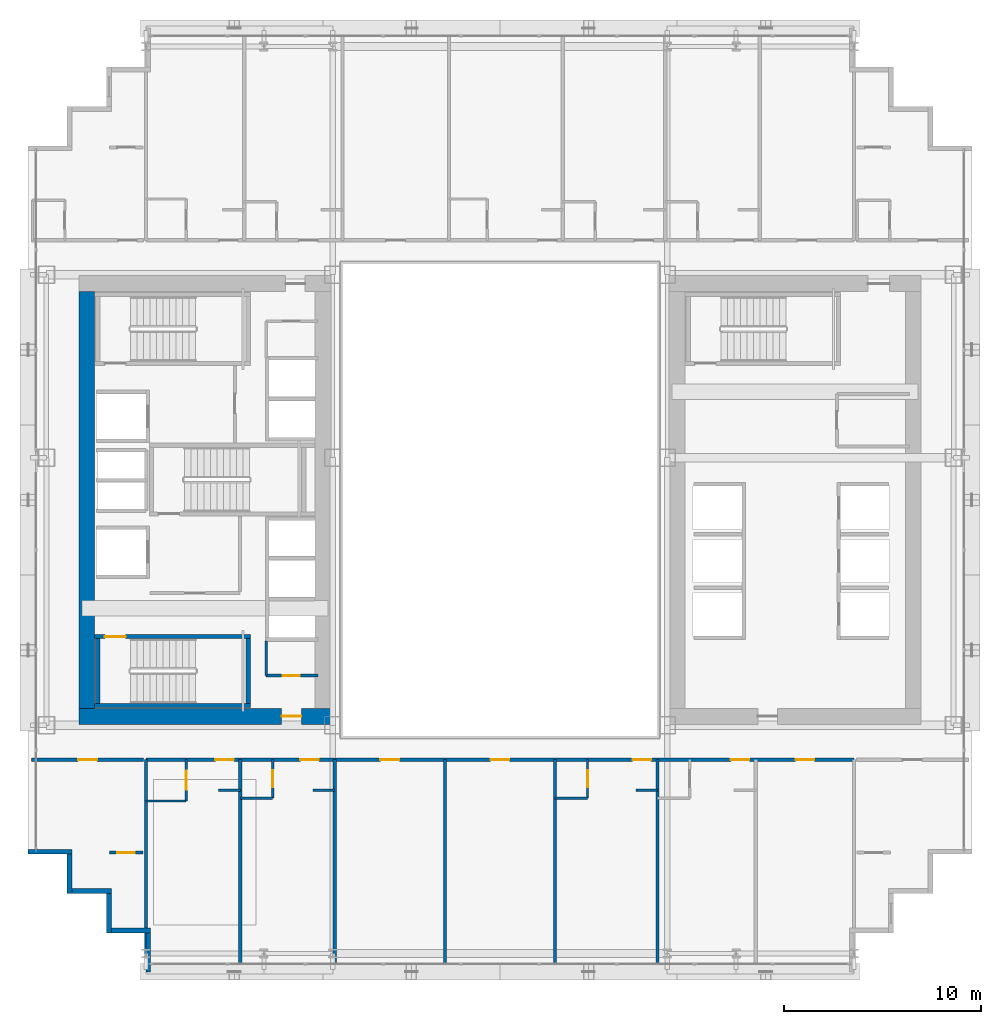
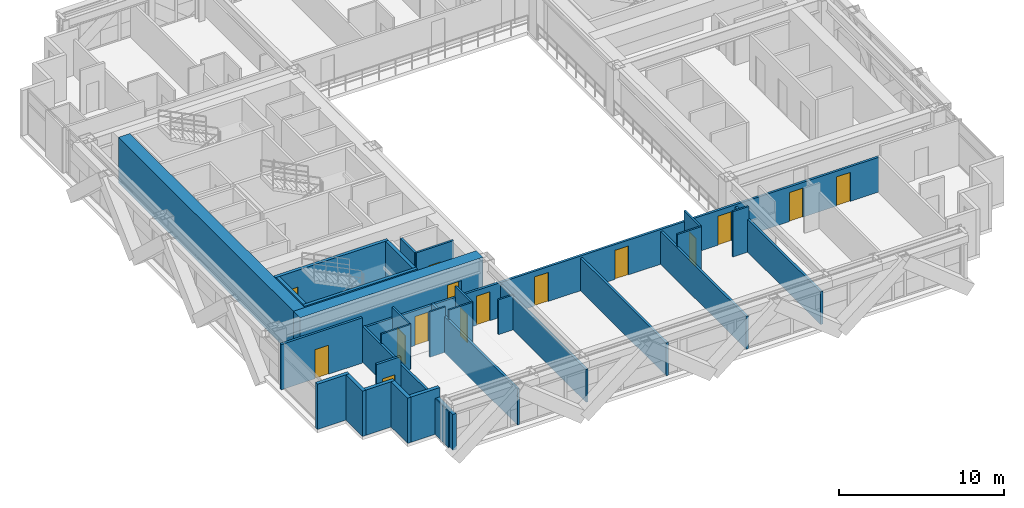
# One storey, part 27 of 35: 32 walls, 15 doors, 15 openings.
"""IFC4 building model written with IfcOpenShell, lengths in metres."""

import ifcopenshell
import ifcopenshell.guid

model = None  # the IFC model being written
_history = None  # IfcOwnerHistory: only IFC2X3 demands one
_inside = {}  # id of a spatial element -> (the spatial element, [elements in it])
_under = {}  # id of a project, library or spatial element -> (it, [spatial elements below it])
_declared = {}  # id of a project -> (the project, [libraries it declares])
_typed = {}  # id of a type object -> (the type object, [elements of that type])
_made_of = {}  # id of a material, layer set ... -> (it, [elements and type objects made of it])


def new_model(schema):
    """Start an empty IFC model of exactly this schema.

    Asked for "IFC4X3", IfcOpenShell would pick the latest addendum, in which some entities
    have other attributes; the version numbers below select the first issue.
    IFC2X3 requires an IfcOwnerHistory on every rooted entity: one is made here for all.
    """
    global model, _history
    if schema == "IFC4X3":
        model = ifcopenshell.file(schema_version=(4, 3, 0, 0))
    else:
        model = ifcopenshell.file(schema=schema)
    _inside.clear()
    _under.clear()
    _declared.clear()
    _typed.clear()
    _made_of.clear()
    _history = None
    if model.schema == "IFC2X3":
        org = make("IfcOrganization", Name="unknown")
        user = make(
            "IfcPersonAndOrganization",
            ThePerson=make("IfcPerson", FamilyName="unknown"),
            TheOrganization=org,
        )
        app = make(
            "IfcApplication",
            ApplicationDeveloper=org,
            Version="unknown",
            ApplicationFullName="unknown",
            ApplicationIdentifier="unknown",
        )
        _history = make(
            "IfcOwnerHistory",
            OwningUser=user,
            OwningApplication=app,
            ChangeAction="ADDED",
            CreationDate=0,
        )
    return model


def make(cls, **values):
    """One entity of the class cls with the attributes given. An attribute that is None is left unset."""
    return model.create_entity(
        cls, **{name: value for name, value in values.items() if value is not None}
    )


def rooted(cls, **values):
    """An entity with a GlobalId (a new one), such as an element, a storey or a relation."""
    return make(cls, GlobalId=ifcopenshell.guid.new(), OwnerHistory=_history, **values)


def si_unit(unit_type, name, prefix=None):
    """IfcSIUnit, for example si_unit("LENGTHUNIT", "METRE", prefix="MILLI")."""
    return make("IfcSIUnit", UnitType=unit_type, Prefix=prefix, Name=name)


def assignment(units):
    """IfcUnitAssignment: the units of a project."""
    return None if units is None else make("IfcUnitAssignment", Units=units)


def point(xyz):
    """IfcCartesianPoint."""
    return None if xyz is None else make("IfcCartesianPoint", Coordinates=xyz)


def direction(xyz):
    """IfcDirection."""
    return None if xyz is None else make("IfcDirection", DirectionRatios=xyz)


def frame(location, z_axis=None, x_axis=None):
    """IfcAxis2Placement3D, a coordinate frame: its origin and axes. An axis left out is left unset."""
    return make(
        "IfcAxis2Placement3D",
        Location=point(location),
        Axis=direction(z_axis),
        RefDirection=direction(x_axis),
    )


def frame_2d(location, x_axis=None):
    """IfcAxis2Placement2D, a coordinate frame in the plane: its origin and x axis."""
    return make(
        "IfcAxis2Placement2D", Location=point(location), RefDirection=direction(x_axis)
    )


def origin():
    """The frame at (0, 0, 0) with its axes left unset."""
    return frame((0.0, 0.0, 0.0))


def place(relative_to, where):
    """IfcLocalPlacement: puts the frame where relative to a parent placement (None: the world)."""
    return make(
        "IfcLocalPlacement", PlacementRelTo=relative_to, RelativePlacement=where
    )


def context(
    kind, dimensions, precision=None, world=None, true_north=None, identifier=None
):
    """IfcGeometricRepresentationContext, for example the 3D "Model" context."""
    return make(
        "IfcGeometricRepresentationContext",
        ContextIdentifier=identifier,
        ContextType=kind,
        CoordinateSpaceDimension=dimensions,
        Precision=precision,
        WorldCoordinateSystem=world,
        TrueNorth=true_north,
    )


def subcontext(parent, identifier, kind, view, scale=None):
    """IfcGeometricRepresentationSubContext, for example "Body" below "Model"."""
    return make(
        "IfcGeometricRepresentationSubContext",
        ContextIdentifier=identifier,
        ContextType=kind,
        ParentContext=parent,
        TargetScale=scale,
        TargetView=view,
    )


def project(units=None, contexts=None):
    """IfcProject with its units and contexts."""
    return rooted(
        "IfcProject",
        Name="project",
        RepresentationContexts=contexts,
        UnitsInContext=assignment(units),
    )


def spatial(cls, under=None, at=None, **own):
    """A site, building, storey or space (cls), placed at a placement, below another one or the project."""
    s = rooted(cls, ObjectPlacement=at, **own)
    if under is not None:
        _under.setdefault(under.id(), (under, []))[1].append(s)
    return s


def profile(cls, at=None, kind="AREA", **sizes):
    """A parametric profile (cls). Its sizes go by their IFC names, for example OverallWidth=200.0."""
    return make(cls, ProfileType=kind, Position=at, **sizes)


def rectangle(**sizes):
    """IfcRectangleProfileDef."""
    return profile("IfcRectangleProfileDef", **sizes)


def extrude(swept, where, along, depth):
    """IfcExtrudedAreaSolid: the profile swept, set in the frame where, extruded along a direction by depth."""
    return make(
        "IfcExtrudedAreaSolid",
        SweptArea=swept,
        Position=where,
        ExtrudedDirection=direction(along),
        Depth=depth,
    )


def shape(context_of_items, identifier, shape_type, items):
    """IfcShapeRepresentation: the items that make up one representation, for example the "Body"."""
    return make(
        "IfcShapeRepresentation",
        ContextOfItems=context_of_items,
        RepresentationIdentifier=identifier,
        RepresentationType=shape_type,
        Items=items,
    )


def source(mapping_origin, context_of_items, identifier, shape_type, items):
    """IfcRepresentationMap: a shape defined once, which mapped items show again and again."""
    return make(
        "IfcRepresentationMap",
        MappingOrigin=mapping_origin,
        MappedRepresentation=shape(context_of_items, identifier, shape_type, items),
    )


def transform(
    local_origin,
    x_axis=None,
    y_axis=None,
    z_axis=None,
    scale=None,
    scale2=None,
    scale3=None,
    uniform=True,
):
    """IfcCartesianTransformationOperator3D, or its non-uniform kind. x_axis, y_axis, z_axis: its Axis1, 2, 3."""
    if uniform:
        return make(
            "IfcCartesianTransformationOperator3D",
            Axis1=direction(x_axis),
            Axis2=direction(y_axis),
            LocalOrigin=point(local_origin),
            Scale=scale,
            Axis3=direction(z_axis),
        )
    return make(
        "IfcCartesianTransformationOperator3DnonUniform",
        Axis1=direction(x_axis),
        Axis2=direction(y_axis),
        LocalOrigin=point(local_origin),
        Scale=scale,
        Axis3=direction(z_axis),
        Scale2=scale2,
        Scale3=scale3,
    )


def mapped(mapping_source, mapping_target):
    """IfcMappedItem: shows the shape of a source again, moved by a transform."""
    return make(
        "IfcMappedItem", MappingSource=mapping_source, MappingTarget=mapping_target
    )


def material(Name=None, Category=None):
    """IfcMaterial."""
    return make("IfcMaterial", Name=Name, Category=Category)


def layer(
    of_material, thickness, ventilated=None, Name=None, Category=None, Priority=None
):
    """IfcMaterialLayer: one layer of a wall or slab, of a material (None: an air gap)."""
    return make(
        "IfcMaterialLayer",
        Material=of_material,
        LayerThickness=thickness,
        IsVentilated=ventilated,
        Name=Name,
        Category=Category,
        Priority=Priority,
    )


def layer_set(layers, Name=None):
    """IfcMaterialLayerSet."""
    return make("IfcMaterialLayerSet", MaterialLayers=layers, LayerSetName=Name)


def made_of(thing, what):
    """Note that an element or type object is made of a material, layer set ...; save() writes the relation."""
    if what is not None:
        _made_of.setdefault(what.id(), (what, []))[1].append(thing)
    return thing


def type_object(cls, material=None, **own):
    """A type object (cls), such as IfcWallType, which elements share."""
    return made_of(rooted(cls, **own), material)


def element(
    cls,
    number,
    at=None,
    inside=None,
    cuts=None,
    type_object=None,
    material=None,
    context=None,
    identifier="Body",
    shape_type=None,
    held_by="IfcProductDefinitionShape",
    body=None,
    shapes=None,
    **own,
):
    """One element of the class cls, such as IfcWall. Its Tag is "e" and its number.

    at: its placement. inside: the storey or other place that contains it. cuts: it is an
    opening in that element (IfcRelVoidsElement). A single representation is given by context,
    identifier, shape_type and body (its items); several are given by shapes. held_by: the class
    of the entity that holds the representations. save() writes the other relations.
    """
    e = rooted(cls, Tag="e%d" % number, ObjectPlacement=at, **own)
    if body is not None:
        shapes = [shape(context, identifier, shape_type, body)]
    if shapes is not None:
        e.Representation = make(held_by, Representations=shapes)
    if inside is not None:
        _inside.setdefault(inside.id(), (inside, []))[1].append(e)
    if cuts is not None:
        rooted(
            "IfcRelVoidsElement", RelatingBuildingElement=cuts, RelatedOpeningElement=e
        )
    if type_object is not None:
        _typed.setdefault(type_object.id(), (type_object, []))[1].append(e)
    return made_of(e, material)


def fill(opening, filler):
    """IfcRelFillsElement: the door or window that sits in an opening."""
    return rooted(
        "IfcRelFillsElement",
        RelatingOpeningElement=opening,
        RelatedBuildingElement=filler,
    )


def aggregate(whole, parts):
    """IfcRelAggregates: a whole, such as a stair, and the parts it consists of."""
    return rooted("IfcRelAggregates", RelatingObject=whole, RelatedObjects=parts)


def save(model, path):
    """Write the relations noted so far, then the file.

    IfcRelAggregates (storeys below a building ...), IfcRelContainedInSpatialStructure (elements
    in a storey), IfcRelDefinesByType, IfcRelAssociatesMaterial and IfcRelDeclares: one each for
    every whole, place, type object, material and project.
    """
    for whole, parts in _under.values():
        aggregate(whole, parts)
    for where, things in _inside.values():
        rooted(
            "IfcRelContainedInSpatialStructure",
            RelatedElements=things,
            RelatingStructure=where,
        )
    for kind, things in _typed.values():
        rooted("IfcRelDefinesByType", RelatedObjects=things, RelatingType=kind)
    for what, things in _made_of.values():
        rooted("IfcRelAssociatesMaterial", RelatedObjects=things, RelatingMaterial=what)
    for by, libraries in _declared.values():
        rooted("IfcRelDeclares", RelatingContext=by, RelatedDefinitions=libraries)
    model.write(path)


model = new_model("IFC4")

# Units and contexts
model_context = context("Model", 3, precision=1e-05, world=origin(), true_north=direction((0.0, 1.0)))
body_context = subcontext(model_context, "Body", "Model", "MODEL_VIEW")
ifc_project = project(units=[si_unit("LENGTHUNIT", "METRE"), si_unit("AREAUNIT", "SQUARE_METRE"), si_unit("VOLUMEUNIT", "CUBIC_METRE"), si_unit("PLANEANGLEUNIT", "RADIAN"), si_unit("MASSUNIT", "GRAM", prefix="KILO")], contexts=[model_context])

# Site, building, storey
site_placement = place(None, origin())
site = spatial("IfcSite", under=ifc_project, at=site_placement, CompositionType="ELEMENT")
building_placement = place(site_placement, origin())
building = spatial("IfcBuilding", under=site, at=building_placement, Name="Ocotamira Hotel", CompositionType="ELEMENT")
storey_placement = place(building_placement, frame((0.0, 0.0, 70.800048828125)))
storey = spatial("IfcBuildingStorey", under=building, at=storey_placement, Name="L17", CompositionType="ELEMENT", Elevation=70.800048828125)

# Wall, opening, door
ifc_material_1 = material(Name="Concrete C60/75", Category="concrete")
ifc_layer_1 = layer(ifc_material_1, 0.800048828125)
ifc_layer_set_1 = layer_set([ifc_layer_1], Name="Concrete C60/75")
wall_type_1 = type_object("IfcWallType", Name="WL-CORE-800", PredefinedType="SHEAR", material=ifc_layer_set_1)
wall_1_placement = place(storey_placement, frame((10.60009765625, 15.0, 0.0), z_axis=(0.0, 0.0, 1.0), x_axis=(1.0, 0.0, 0.0)))
wall_1 = element("IfcWall", 1, at=wall_1_placement, inside=storey, type_object=wall_type_1, Name="L17 Shear Core Wall WCORE-S", PredefinedType="SHEAR", context=body_context, shape_type="SweptSolid", body=[
    extrude(rectangle(XDim=12.7998046875, YDim=0.800048828125, at=frame_2d((6.39990234375, 0.0))), origin(), (0.0, 0.0, 1.0), 3.349853515625),
])
opening_1_placement = place(wall_1_placement, frame((10.300048828125, 0.0, 0.0)))
opening_1 = element("IfcOpeningElement", 2, at=opening_1_placement, cuts=wall_1, Name="Opening D-FR2", PredefinedType="OPENING", context=body_context, shape_type="SweptSolid", body=[
    extrude(rectangle(XDim=1.0, YDim=2.14990234375, at=frame_2d((0.5, 1.074951171875))), frame((0.0, 0.41015625, 0.0), z_axis=(0.0, -1.0, 0.0), x_axis=(1.0, 0.0, 0.0)), (0.0, 0.0, 1.0), 0.820068359375),
])
ifc_material_2 = material(Name="Fire-rated acoustic timber-veneer door", Category="wood")
door_type_1 = type_object("IfcDoorType", Name="DR-FIRE-1000", OperationType="NOTDEFINED", PredefinedType="DOOR", material=ifc_material_2)
shared_shape_1 = source(origin(), body_context, "Body", "SweptSolid", [
    extrude(rectangle(XDim=1.0, YDim=2.14990234375, at=frame_2d((0.5, 1.074951171875))), frame((0.0, 0.02490234375, 0.0), z_axis=(0.0, -1.0, 0.0), x_axis=(1.0, 0.0, 0.0)), (0.0, 0.0, 1.0), 0.050048828125),
])
door_1_placement = place(opening_1_placement, origin())
door_1 = element("IfcDoor", 3, at=door_1_placement, inside=storey, type_object=door_type_1, Name="L17 Door ID-L17-WLOB-S-D [ID-L17-WLOB-S-D]", OperationType="SINGLE_SWING_LEFT", OverallHeight=2.14990234375, OverallWidth=1.0, PredefinedType="DOOR", context=body_context, shape_type="MappedRepresentation", body=[
    mapped(shared_shape_1, transform((0.0, 0.0, 0.0), scale=1.0)),
])
fill(opening_1, door_1)

# Walls
wall_2_placement = place(storey_placement, frame((11.0, 15.39990234375, 0.0), z_axis=(0.0, 0.0, 1.0), x_axis=(0.0, 1.0, 0.0)))
element("IfcWall", 4, at=wall_2_placement, inside=storey, type_object=wall_type_1, Name="L17 Shear Core Wall WCORE-W", PredefinedType="SHEAR", context=body_context, shape_type="SweptSolid", body=[
    extrude(rectangle(XDim=21.2001953125, YDim=0.800048828125, at=frame_2d((10.60009765625, 0.0))), origin(), (0.0, 0.0, 1.0), 3.349853515625),
])
ifc_material_3 = material(Name="Precast concrete C45/55", Category="concrete")
ifc_layer_2 = layer(ifc_material_3, 0.25)
ifc_layer_set_2 = layer_set([ifc_layer_2], Name="Precast concrete C45/55")
wall_type_2 = type_object("IfcWallType", Name="WL-EXT-SER-250", PredefinedType="SOLIDWALL", material=ifc_layer_set_2)
wall_3_placement = place(storey_placement, frame((8.0, 8.125, 0.0), z_axis=(0.0, 0.0, 1.0), x_axis=(1.0, 0.0, 0.0)))
element("IfcWall", 5, at=wall_3_placement, inside=storey, type_object=wall_type_2, Name="L17 Serrated Corner Wall 19", PredefinedType="SOLIDWALL", context=body_context, shape_type="SweptSolid", body=[
    extrude(rectangle(XDim=2.25, YDim=0.25, at=frame_2d((1.125, 0.0))), origin(), (0.0, 0.0, 1.0), 3.349853515625),
])
for number, where, z_axis, x_axis, name in (
    (6, (10.125, 8.0, 0.0), (0.0, 0.0, 1.0), (0.0, -1.0, 0.0), "L17 Serrated Corner Wall 20"),
    (7, (10.25, 6.125, 0.0), (0.0, 0.0, 1.0), (1.0, 0.0, 0.0), "L17 Serrated Corner Wall 21"),
    (8, (12.125, 6.0, 0.0), (0.0, 0.0, 1.0), (0.0, -1.0, 0.0), "L17 Serrated Corner Wall 22"),
    (9, (12.25, 4.125, 0.0), (0.0, 0.0, 1.0), (1.0, 0.0, 0.0), "L17 Serrated Corner Wall 23"),
):
    element("IfcWall", number, at=place(storey_placement, frame(where, z_axis=z_axis, x_axis=x_axis)), inside=storey, type_object=wall_type_2, Name=name, PredefinedType="SOLIDWALL", context=body_context, shape_type="SweptSolid", body=[
        extrude(rectangle(XDim=2.0, YDim=0.25, at=frame_2d((1.0, 0.0))), origin(), (0.0, 0.0, 1.0), 3.349853515625),
    ])
wall_4_placement = place(storey_placement, frame((14.125, 4.0, 0.0), z_axis=(0.0, 0.0, 1.0), x_axis=(0.0, -1.0, 0.0)))
element("IfcWall", 10, at=wall_4_placement, inside=storey, type_object=wall_type_2, Name="L17 Serrated Corner Wall 24", PredefinedType="SOLIDWALL", context=body_context, shape_type="SweptSolid", body=[
    extrude(rectangle(XDim=2.0, YDim=0.25, at=frame_2d((1.0, 0.0))), origin(), (0.0, 0.0, 1.0), 2.656982421875),
])

# Wall, opening, door
ifc_material_4 = material(Name="Acoustic double-layer fire gypsum board partition", Category="gypsum")
ifc_layer_3 = layer(ifc_material_4, 0.159912109375)
ifc_layer_set_3 = layer_set([ifc_layer_3], Name="Acoustic double-layer fire gypsum board partition")
wall_type_3 = type_object("IfcWallType", Name="WL-FIRE-160", PredefinedType="PARTITIONING", material=ifc_layer_set_3)
wall_5_placement = place(storey_placement, frame((8.199951171875, 12.800048828125, 0.0), z_axis=(0.0, 0.0, 1.0), x_axis=(1.0, 0.0, 0.0)))
wall_5 = element("IfcWall", 11, at=wall_5_placement, inside=storey, type_object=wall_type_3, Name="L17 Interior Wall PW-L17-Z1D-CSW-CW", PredefinedType="PARTITIONING", context=body_context, shape_type="SweptSolid", body=[
    extrude(rectangle(XDim=5.679931640625, YDim=0.159912109375, at=frame_2d((2.83984375, 0.0))), origin(), (0.0, 0.0, 1.0), 3.349853515625),
])
opening_2_placement = place(wall_5_placement, frame((2.360107421875, 0.0, 0.0)))
opening_2 = element("IfcOpeningElement", 12, at=opening_2_placement, cuts=wall_5, Name="Opening D-SV4", PredefinedType="OPENING", context=body_context, shape_type="SweptSolid", body=[
    extrude(rectangle(XDim=0.9599609375, YDim=2.14990234375, at=frame_2d((0.47998046875, 1.074951171875))), frame((0.0, 0.08984375, 0.0), z_axis=(0.0, -1.0, 0.0), x_axis=(1.0, 0.0, 0.0)), (0.0, 0.0, 1.0), 0.179931640625),
])
ifc_material_5 = material(Name="Fire-rated accessible walnut salon door", Category="wood")
door_type_2 = type_object("IfcDoorType", Name="DR-SERV-960", OperationType="NOTDEFINED", PredefinedType="DOOR", material=ifc_material_5)
shared_shape_2 = source(origin(), body_context, "Body", "SweptSolid", [
    extrude(rectangle(XDim=0.9599609375, YDim=2.14990234375, at=frame_2d((0.47998046875, 1.074951171875))), frame((0.0, 0.02490234375, 0.0), z_axis=(0.0, -1.0, 0.0), x_axis=(1.0, 0.0, 0.0)), (0.0, 0.0, 1.0), 0.050048828125),
])
door_2_placement = place(opening_2_placement, origin())
door_2 = element("IfcDoor", 13, at=door_2_placement, inside=storey, type_object=door_type_2, Name="L17 Door ID-L17-Z1D-CSW-CD [ID-L17-Z1D-CSW-CD]", OperationType="SINGLE_SWING_LEFT", OverallHeight=2.14990234375, OverallWidth=0.9599609375, PredefinedType="DOOR", context=body_context, shape_type="MappedRepresentation", body=[
    mapped(shared_shape_2, transform((0.0, 0.0, 0.0), scale=1.0)),
])
fill(opening_2, door_2)

wall_6_placement = place(storey_placement, frame((12.14990234375, 8.080078125, 0.0), z_axis=(0.0, 0.0, 1.0), x_axis=(1.0, 0.0, 0.0)))
wall_6 = element("IfcWall", 14, at=wall_6_placement, inside=storey, type_object=wall_type_3, Name="L17 Interior Wall PW-L17-Z1D-CSW2-CW", PredefinedType="PARTITIONING", context=body_context, shape_type="SweptSolid", body=[
    extrude(rectangle(XDim=1.7001953125, YDim=0.159912109375, at=frame_2d((0.85009765625, 0.0))), origin(), (0.0, 0.0, 1.0), 3.349853515625),
])
opening_3_placement = place(wall_6_placement, frame((0.409912109375, 0.0, 0.0)))
opening_3 = element("IfcOpeningElement", 15, at=opening_3_placement, cuts=wall_6, Name="Opening D-SV2", PredefinedType="OPENING", context=body_context, shape_type="SweptSolid", body=[
    extrude(rectangle(XDim=0.8798828125, YDim=2.14990234375, at=frame_2d((0.43994140625, 1.074951171875))), frame((0.0, 0.08984375, 0.0), z_axis=(0.0, -1.0, 0.0), x_axis=(1.0, 0.0, 0.0)), (0.0, 0.0, 1.0), 0.179931640625),
])
ifc_material_6 = material(Name="Fire-rated painted steel service door", Category="steel")
door_type_3 = type_object("IfcDoorType", Name="DR-SERV-880", OperationType="NOTDEFINED", PredefinedType="DOOR", material=ifc_material_6)
shared_shape_3 = source(origin(), body_context, "Body", "SweptSolid", [
    extrude(rectangle(XDim=0.8798828125, YDim=2.14990234375, at=frame_2d((0.43994140625, 1.074951171875))), frame((0.0, 0.02490234375, 0.0), z_axis=(0.0, -1.0, 0.0), x_axis=(1.0, 0.0, 0.0)), (0.0, 0.0, 1.0), 0.050048828125),
])
door_3_placement = place(opening_3_placement, origin())
door_3 = element("IfcDoor", 16, at=door_3_placement, inside=storey, type_object=door_type_3, Name="L17 Door ID-L17-Z1D-CSW2-CD [ID-L17-Z1D-CSW2-CD]", OperationType="SINGLE_SWING_LEFT", OverallHeight=2.14990234375, OverallWidth=0.8798828125, PredefinedType="DOOR", context=body_context, shape_type="MappedRepresentation", body=[
    mapped(shared_shape_3, transform((0.0, 0.0, 0.0), scale=1.0)),
])
fill(opening_3, door_3)

# Wall, openings, doors
wall_7_placement = place(storey_placement, frame((14.0, 12.800048828125, 0.0), z_axis=(0.0, 0.0, 1.0), x_axis=(1.0, 0.0, 0.0)))
wall_7 = element("IfcWall", 17, at=wall_7_placement, inside=storey, type_object=wall_type_3, Name="L17 Interior Wall PW-L17-Z1DS-CORRW", PredefinedType="PARTITIONING", context=body_context, shape_type="SweptSolid", body=[
    extrude(rectangle(XDim=36.0, YDim=0.159912109375, at=frame_2d((18.0, 0.0))), origin(), (0.0, 0.0, 1.0), 2.571044921875),
])
opening_4_placement = place(wall_7_placement, frame((3.5400390625, 0.0, 0.0)))
opening_4 = element("IfcOpeningElement", 18, at=opening_4_placement, cuts=wall_7, Name="Opening D-GR1", PredefinedType="OPENING", context=body_context, shape_type="SweptSolid", body=[
    extrude(rectangle(XDim=0.93994140625, YDim=2.14990234375, at=frame_2d((0.469970703125, 1.074951171875))), frame((0.0, 0.08984375, 0.0), z_axis=(0.0, -1.0, 0.0), x_axis=(1.0, 0.0, 0.0)), (0.0, 0.0, 1.0), 0.179931640625),
])
opening_5_placement = place(wall_7_placement, frame((7.860107421875, 0.0, 0.0)))
opening_5 = element("IfcOpeningElement", 19, at=opening_5_placement, cuts=wall_7, Name="Opening D-GR1", PredefinedType="OPENING", context=body_context, shape_type="SweptSolid", body=[
    extrude(rectangle(XDim=0.93994140625, YDim=2.14990234375, at=frame_2d((0.469970703125, 1.074951171875))), frame((0.0, 0.08984375, 0.0), z_axis=(0.0, -1.0, 0.0), x_axis=(1.0, 0.0, 0.0)), (0.0, 0.0, 1.0), 0.179931640625),
])
opening_6_placement = place(wall_7_placement, frame((11.919921875, 0.0, 0.0)))
opening_6 = element("IfcOpeningElement", 20, at=opening_6_placement, cuts=wall_7, Name="Opening D-SV4", PredefinedType="OPENING", context=body_context, shape_type="SweptSolid", body=[
    extrude(rectangle(XDim=0.9599609375, YDim=2.14990234375, at=frame_2d((0.47998046875, 1.074951171875))), frame((0.0, 0.08984375, 0.0), z_axis=(0.0, -1.0, 0.0), x_axis=(1.0, 0.0, 0.0)), (0.0, 0.0, 1.0), 0.179931640625),
])
opening_7_placement = place(wall_7_placement, frame((17.52001953125, 0.0, 0.0)))
opening_7 = element("IfcOpeningElement", 21, at=opening_7_placement, cuts=wall_7, Name="Opening D-SV4", PredefinedType="OPENING", context=body_context, shape_type="SweptSolid", body=[
    extrude(rectangle(XDim=0.9599609375, YDim=2.14990234375, at=frame_2d((0.47998046875, 1.074951171875))), frame((0.0, 0.08984375, 0.0), z_axis=(0.0, -1.0, 0.0), x_axis=(1.0, 0.0, 0.0)), (0.0, 0.0, 1.0), 0.179931640625),
])
opening_8_placement = place(wall_7_placement, frame((24.739990234375, 0.0, 0.0)))
opening_8 = element("IfcOpeningElement", 22, at=opening_8_placement, cuts=wall_7, Name="Opening D-GR1", PredefinedType="OPENING", context=body_context, shape_type="SweptSolid", body=[
    extrude(rectangle(XDim=0.93994140625, YDim=2.14990234375, at=frame_2d((0.469970703125, 1.074951171875))), frame((0.0, 0.08984375, 0.0), z_axis=(0.0, -1.0, 0.0), x_axis=(1.0, 0.0, 0.0)), (0.0, 0.0, 1.0), 0.179931640625),
])
opening_9_placement = place(wall_7_placement, frame((29.739990234375, 0.0, 0.0)))
opening_9 = element("IfcOpeningElement", 23, at=opening_9_placement, cuts=wall_7, Name="Opening D-GR1", PredefinedType="OPENING", context=body_context, shape_type="SweptSolid", body=[
    extrude(rectangle(XDim=0.93994140625, YDim=2.14990234375, at=frame_2d((0.469970703125, 1.074951171875))), frame((0.0, 0.08984375, 0.0), z_axis=(0.0, -1.0, 0.0), x_axis=(1.0, 0.0, 0.0)), (0.0, 0.0, 1.0), 0.179931640625),
])
opening_10_placement = place(wall_7_placement, frame((33.02001953125, 0.0, 0.0)))
opening_10 = element("IfcOpeningElement", 24, at=opening_10_placement, cuts=wall_7, Name="Opening D-SV4", PredefinedType="OPENING", context=body_context, shape_type="SweptSolid", body=[
    extrude(rectangle(XDim=0.9599609375, YDim=2.14990234375, at=frame_2d((0.47998046875, 1.074951171875))), frame((0.0, 0.08984375, 0.0), z_axis=(0.0, -1.0, 0.0), x_axis=(1.0, 0.0, 0.0)), (0.0, 0.0, 1.0), 0.179931640625),
])
door_4_placement = place(opening_6_placement, origin())
door_4 = element("IfcDoor", 25, at=door_4_placement, inside=storey, type_object=door_type_2, Name="L17 Door ID-L17-Z1DS-AMD3 [ID-L17-Z1DS-AMD3]", OperationType="SINGLE_SWING_LEFT", OverallHeight=2.14990234375, OverallWidth=0.9599609375, PredefinedType="DOOR", context=body_context, shape_type="MappedRepresentation", body=[
    mapped(shared_shape_2, transform((0.0, 0.0, 0.0), scale=1.0)),
])
fill(opening_6, door_4)
door_5_placement = place(opening_7_placement, origin())
door_5 = element("IfcDoor", 26, at=door_5_placement, inside=storey, type_object=door_type_2, Name="L17 Door ID-L17-Z1DS-AMD4 [ID-L17-Z1DS-AMD4]", OperationType="SINGLE_SWING_RIGHT", OverallHeight=2.14990234375, OverallWidth=0.9599609375, PredefinedType="DOOR", context=body_context, shape_type="MappedRepresentation", body=[
    mapped(shared_shape_2, transform((0.0, 0.0, 0.0), scale=1.0)),
])
fill(opening_7, door_5)
door_6_placement = place(opening_10_placement, origin())
door_6 = element("IfcDoor", 27, at=door_6_placement, inside=storey, type_object=door_type_2, Name="L17 Door ID-L17-Z1DS-AMD7 [ID-L17-Z1DS-AMD7]", OperationType="SINGLE_SWING_LEFT", OverallHeight=2.14990234375, OverallWidth=0.9599609375, PredefinedType="DOOR", context=body_context, shape_type="MappedRepresentation", body=[
    mapped(shared_shape_2, transform((0.0, 0.0, 0.0), scale=1.0)),
])
fill(opening_10, door_6)
ifc_material_7 = material(Name="Solid-core walnut suite entrance fire door", Category="wood")
door_type_4 = type_object("IfcDoorType", Name="DR-GUEST-940", OperationType="NOTDEFINED", PredefinedType="DOOR", material=ifc_material_7)
shared_shape_4 = source(origin(), body_context, "Body", "SweptSolid", [
    extrude(rectangle(XDim=0.93994140625, YDim=2.14990234375, at=frame_2d((0.469970703125, 1.074951171875))), frame((0.0, 0.02490234375, 0.0), z_axis=(0.0, -1.0, 0.0), x_axis=(1.0, 0.0, 0.0)), (0.0, 0.0, 1.0), 0.050048828125),
])
door_7_placement = place(opening_4_placement, origin())
door_7 = element("IfcDoor", 28, at=door_7_placement, inside=storey, type_object=door_type_4, Name="L17 Door ID-L17-Z1DS-RMD1 [ID-L17-Z1DS-RMD1]", OperationType="SINGLE_SWING_LEFT", OverallHeight=2.14990234375, OverallWidth=0.93994140625, PredefinedType="DOOR", context=body_context, shape_type="MappedRepresentation", body=[
    mapped(shared_shape_4, transform((0.0, 0.0, 0.0), scale=1.0)),
])
fill(opening_4, door_7)
door_8_placement = place(opening_5_placement, origin())
door_8 = element("IfcDoor", 29, at=door_8_placement, inside=storey, type_object=door_type_4, Name="L17 Door ID-L17-Z1DS-RMD2 [ID-L17-Z1DS-RMD2]", OperationType="SINGLE_SWING_RIGHT", OverallHeight=2.14990234375, OverallWidth=0.93994140625, PredefinedType="DOOR", context=body_context, shape_type="MappedRepresentation", body=[
    mapped(shared_shape_4, transform((0.0, 0.0, 0.0), scale=1.0)),
])
fill(opening_5, door_8)
door_9_placement = place(opening_8_placement, origin())
door_9 = element("IfcDoor", 30, at=door_9_placement, inside=storey, type_object=door_type_4, Name="L17 Door ID-L17-Z1DS-RMD5 [ID-L17-Z1DS-RMD5]", OperationType="SINGLE_SWING_LEFT", OverallHeight=2.14990234375, OverallWidth=0.93994140625, PredefinedType="DOOR", context=body_context, shape_type="MappedRepresentation", body=[
    mapped(shared_shape_4, transform((0.0, 0.0, 0.0), scale=1.0)),
])
fill(opening_8, door_9)
door_10_placement = place(opening_9_placement, origin())
door_10 = element("IfcDoor", 31, at=door_10_placement, inside=storey, type_object=door_type_4, Name="L17 Door ID-L17-Z1DS-RMD6 [ID-L17-Z1DS-RMD6]", OperationType="SINGLE_SWING_RIGHT", OverallHeight=2.14990234375, OverallWidth=0.93994140625, PredefinedType="DOOR", context=body_context, shape_type="MappedRepresentation", body=[
    mapped(shared_shape_4, transform((0.0, 0.0, 0.0), scale=1.0)),
])
fill(opening_9, door_10)

# Wall, opening, door
ifc_material_8 = material(Name="Moisture-resistant en-suite tile and gypsum partition", Category="gypsum")
ifc_layer_4 = layer(ifc_material_8, 0.1201171875)
ifc_layer_set_4 = layer_set([ifc_layer_4], Name="Moisture-resistant en-suite tile and gypsum partition")
wall_type_4 = type_object("IfcWallType", Name="WL-PART-120", PredefinedType="PARTITIONING", material=ifc_layer_set_4)
wall_8_placement = place(storey_placement, frame((16.050048828125, 10.699951171875, 0.0), z_axis=(0.0, 0.0, 1.0), x_axis=(0.0, 1.0, 0.0)))
wall_8 = element("IfcWall", 32, at=wall_8_placement, inside=storey, type_object=wall_type_4, Name="L17 Interior Wall PW-L17-Z1DS-BAE1", PredefinedType="PARTITIONING", context=body_context, shape_type="SweptSolid", body=[
    extrude(rectangle(XDim=2.10009765625, YDim=0.1201171875, at=frame_2d((1.050048828125, 0.0))), origin(), (0.0, 0.0, 1.0), 3.349853515625),
])
opening_11_placement = place(wall_8_placement, frame((0.570068359375, 0.0, 0.0)))
opening_11 = element("IfcOpeningElement", 33, at=opening_11_placement, cuts=wall_8, Name="Opening D-IN1", PredefinedType="OPENING", context=body_context, shape_type="SweptSolid", body=[
    extrude(rectangle(XDim=0.9599609375, YDim=2.14990234375, at=frame_2d((0.47998046875, 1.074951171875))), frame((0.0, 0.070068359375, 0.0), z_axis=(0.0, -1.0, 0.0), x_axis=(1.0, 0.0, 0.0)), (0.0, 0.0, 1.0), 0.14013671875),
])
ifc_material_9 = material(Name="Accessible walnut interior room door", Category="wood")
door_type_5 = type_object("IfcDoorType", Name="DR-INT-960", OperationType="NOTDEFINED", PredefinedType="DOOR", material=ifc_material_9)
door_11_placement = place(opening_11_placement, origin())
door_11 = element("IfcDoor", 34, at=door_11_placement, inside=storey, type_object=door_type_5, Name="L17 Door ID-L17-Z1DS-BAD1 [ID-L17-Z1DS-BAD1]", OperationType="SINGLE_SWING_RIGHT", OverallHeight=2.14990234375, OverallWidth=0.9599609375, PredefinedType="DOOR", context=body_context, shape_type="MappedRepresentation", body=[
    mapped(shared_shape_2, transform((0.0, 0.0, 0.0), scale=1.0)),
])
fill(opening_11, door_11)

# Walls
wall_9_placement = place(storey_placement, frame((14.0, 10.699951171875, 0.0), z_axis=(0.0, 0.0, 1.0), x_axis=(1.0, 0.0, 0.0)))
element("IfcWall", 35, at=wall_9_placement, inside=storey, type_object=wall_type_4, Name="L17 Interior Wall PW-L17-Z1DS-BAS1", PredefinedType="PARTITIONING", context=body_context, shape_type="SweptSolid", body=[
    extrude(rectangle(XDim=2.050048828125, YDim=0.1201171875, at=frame_2d((1.02490234375, 0.0))), origin(), (0.0, 0.0, 1.0), 3.349853515625),
])
wall_10_placement = place(storey_placement, frame((17.699951171875, 11.25, 0.0), z_axis=(0.0, 0.0, 1.0), x_axis=(1.0, 0.0, 0.0)))
element("IfcWall", 36, at=wall_10_placement, inside=storey, type_object=wall_type_4, Name="L17 Interior Wall PW-L17-Z1DS-DRN1", PredefinedType="PARTITIONING", context=body_context, shape_type="SweptSolid", body=[
    extrude(rectangle(XDim=1.10009765625, YDim=0.1201171875, at=frame_2d((0.550048828125, 0.0))), origin(), (0.0, 0.0, 1.0), 3.349853515625),
])

# Wall, opening, door
wall_11_placement = place(storey_placement, frame((20.449951171875, 10.85009765625, 0.0), z_axis=(0.0, 0.0, 1.0), x_axis=(0.0, 1.0, 0.0)))
wall_11 = element("IfcWall", 37, at=wall_11_placement, inside=storey, type_object=wall_type_4, Name="L17 Interior Wall PW-L17-Z1DS-BAE2", PredefinedType="PARTITIONING", context=body_context, shape_type="SweptSolid", body=[
    extrude(rectangle(XDim=1.949951171875, YDim=0.1201171875, at=frame_2d((0.97509765625, 0.0))), origin(), (0.0, 0.0, 1.0), 3.349853515625),
])
opening_12_placement = place(wall_11_placement, frame((0.544921875, 0.0, 0.0)))
opening_12 = element("IfcOpeningElement", 38, at=opening_12_placement, cuts=wall_11, Name="Opening D-BA1", PredefinedType="OPENING", context=body_context, shape_type="SweptSolid", body=[
    extrude(rectangle(XDim=0.860107421875, YDim=2.10009765625, at=frame_2d((0.43017578125, 1.050048828125))), frame((0.0, 0.070068359375, 0.0), z_axis=(0.0, -1.0, 0.0), x_axis=(1.0, 0.0, 0.0)), (0.0, 0.0, 1.0), 0.14013671875),
])
ifc_material_10 = material(Name="Moisture-sealed en-suite timber door", Category="wood")
door_type_6 = type_object("IfcDoorType", Name="DR-BATH-860", OperationType="NOTDEFINED", PredefinedType="DOOR", material=ifc_material_10)
shared_shape_5 = source(origin(), body_context, "Body", "SweptSolid", [
    extrude(rectangle(XDim=0.860107421875, YDim=2.10009765625, at=frame_2d((0.43017578125, 1.050048828125))), frame((0.0, 0.02490234375, 0.0), z_axis=(0.0, -1.0, 0.0), x_axis=(1.0, 0.0, 0.0)), (0.0, 0.0, 1.0), 0.050048828125),
])
door_12_placement = place(opening_12_placement, origin())
door_12 = element("IfcDoor", 39, at=door_12_placement, inside=storey, type_object=door_type_6, Name="L17 Door ID-L17-Z1DS-BAD2 [ID-L17-Z1DS-BAD2]", OperationType="SINGLE_SWING_LEFT", OverallHeight=2.10009765625, OverallWidth=0.860107421875, PredefinedType="DOOR", context=body_context, shape_type="MappedRepresentation", body=[
    mapped(shared_shape_5, transform((0.0, 0.0, 0.0), scale=1.0)),
])
fill(opening_12, door_12)

# Walls
wall_12_placement = place(storey_placement, frame((18.800048828125, 10.85009765625, 0.0), z_axis=(0.0, 0.0, 1.0), x_axis=(1.0, 0.0, 0.0)))
element("IfcWall", 40, at=wall_12_placement, inside=storey, type_object=wall_type_4, Name="L17 Interior Wall PW-L17-Z1DS-BAS2", PredefinedType="PARTITIONING", context=body_context, shape_type="SweptSolid", body=[
    extrude(rectangle(XDim=1.64990234375, YDim=0.1201171875, at=frame_2d((0.824951171875, 0.0))), origin(), (0.0, 0.0, 1.0), 3.349853515625),
])
wall_13_placement = place(storey_placement, frame((22.5, 11.25, 0.0), z_axis=(0.0, 0.0, 1.0), x_axis=(1.0, 0.0, 0.0)))
element("IfcWall", 41, at=wall_13_placement, inside=storey, type_object=wall_type_4, Name="L17 Interior Wall PW-L17-Z1DS-DRN2", PredefinedType="PARTITIONING", context=body_context, shape_type="SweptSolid", body=[
    extrude(rectangle(XDim=1.10009765625, YDim=0.1201171875, at=frame_2d((0.550048828125, 0.0))), origin(), (0.0, 0.0, 1.0), 2.571044921875),
])

# Wall, opening, door
wall_14_placement = place(storey_placement, frame((36.449951171875, 10.85009765625, 0.0), z_axis=(0.0, 0.0, 1.0), x_axis=(0.0, 1.0, 0.0)))
wall_14 = element("IfcWall", 42, at=wall_14_placement, inside=storey, type_object=wall_type_4, Name="L17 Interior Wall PW-L17-Z1DS-BAE5", PredefinedType="PARTITIONING", context=body_context, shape_type="SweptSolid", body=[
    extrude(rectangle(XDim=1.949951171875, YDim=0.1201171875, at=frame_2d((0.97509765625, 0.0))), origin(), (0.0, 0.0, 1.0), 3.349853515625),
])
opening_13_placement = place(wall_14_placement, frame((0.544921875, 0.0, 0.0)))
opening_13 = element("IfcOpeningElement", 43, at=opening_13_placement, cuts=wall_14, Name="Opening D-BA1", PredefinedType="OPENING", context=body_context, shape_type="SweptSolid", body=[
    extrude(rectangle(XDim=0.860107421875, YDim=2.10009765625, at=frame_2d((0.43017578125, 1.050048828125))), frame((0.0, 0.070068359375, 0.0), z_axis=(0.0, -1.0, 0.0), x_axis=(1.0, 0.0, 0.0)), (0.0, 0.0, 1.0), 0.14013671875),
])
door_13_placement = place(opening_13_placement, origin())
door_13 = element("IfcDoor", 44, at=door_13_placement, inside=storey, type_object=door_type_6, Name="L17 Door ID-L17-Z1DS-BAD5 [ID-L17-Z1DS-BAD5]", OperationType="SINGLE_SWING_RIGHT", OverallHeight=2.10009765625, OverallWidth=0.860107421875, PredefinedType="DOOR", context=body_context, shape_type="MappedRepresentation", body=[
    mapped(shared_shape_5, transform((0.0, 0.0, 0.0), scale=1.0)),
])
fill(opening_13, door_13)

# Walls
wall_15_placement = place(storey_placement, frame((34.800048828125, 10.85009765625, 0.0), z_axis=(0.0, 0.0, 1.0), x_axis=(1.0, 0.0, 0.0)))
element("IfcWall", 45, at=wall_15_placement, inside=storey, type_object=wall_type_4, Name="L17 Interior Wall PW-L17-Z1DS-BAS5", PredefinedType="PARTITIONING", context=body_context, shape_type="SweptSolid", body=[
    extrude(rectangle(XDim=1.64990234375, YDim=0.1201171875, at=frame_2d((0.824951171875, 0.0))), origin(), (0.0, 0.0, 1.0), 3.349853515625),
])
wall_16_placement = place(storey_placement, frame((38.89990234375, 11.25, 0.0), z_axis=(0.0, 0.0, 1.0), x_axis=(1.0, 0.0, 0.0)))
element("IfcWall", 46, at=wall_16_placement, inside=storey, type_object=wall_type_4, Name="L17 Interior Wall PW-L17-Z1DS-DRN5", PredefinedType="PARTITIONING", context=body_context, shape_type="SweptSolid", body=[
    extrude(rectangle(XDim=1.10009765625, YDim=0.1201171875, at=frame_2d((0.550048828125, 0.0))), origin(), (0.0, 0.0, 1.0), 3.349853515625),
])
ifc_material_11 = material(Name="Acoustic hospitality gypsum board partition", Category="gypsum")
ifc_layer_5 = layer(ifc_material_11, 0.14208984375)
ifc_layer_set_5 = layer_set([ifc_layer_5], Name="Acoustic hospitality gypsum board partition")
wall_type_5 = type_object("IfcWallType", Name="WL-PART-142", PredefinedType="PARTITIONING", material=ifc_layer_set_5)
wall_17_placement = place(storey_placement, frame((20.1201171875, 17.080078125, 0.0), z_axis=(0.0, 0.0, 1.0), x_axis=(0.0, 1.0, 0.0)))
element("IfcWall", 47, at=wall_17_placement, inside=storey, type_object=wall_type_5, Name="L17 Interior Wall PW-L17-WC-SE-W2", PredefinedType="PARTITIONING", context=body_context, shape_type="SweptSolid", body=[
    extrude(rectangle(XDim=1.760009765625, YDim=0.14208984375, at=frame_2d((0.8798828125, 0.0))), origin(), (0.0, 0.0, 1.0), 3.349853515625),
])

# Wall, opening, door
wall_18_placement = place(storey_placement, frame((20.1201171875, 17.080078125, 0.0), z_axis=(0.0, 0.0, 1.0), x_axis=(1.0, 0.0, 0.0)))
wall_18 = element("IfcWall", 48, at=wall_18_placement, inside=storey, type_object=wall_type_5, Name="L17 Interior Wall PW-L17-WC-SE-S2", PredefinedType="PARTITIONING", context=body_context, shape_type="SweptSolid", body=[
    extrude(rectangle(XDim=2.6298828125, YDim=0.14208984375, at=frame_2d((1.31494140625, 0.0))), origin(), (0.0, 0.0, 1.0), 3.349853515625),
])
opening_14_placement = place(wall_18_placement, frame((0.85009765625, 0.0, 0.0)))
opening_14 = element("IfcOpeningElement", 49, at=opening_14_placement, cuts=wall_18, Name="Opening D-SV1", PredefinedType="OPENING", context=body_context, shape_type="SweptSolid", body=[
    extrude(rectangle(XDim=0.840087890625, YDim=2.10009765625, at=frame_2d((0.419921875, 1.050048828125))), frame((0.0, 0.0810546875, 0.0), z_axis=(0.0, -1.0, 0.0), x_axis=(1.0, 0.0, 0.0)), (0.0, 0.0, 1.0), 0.162109375),
])
door_type_7 = type_object("IfcDoorType", Name="DR-SERV-840", OperationType="NOTDEFINED", PredefinedType="DOOR", material=ifc_material_6)
shared_shape_6 = source(origin(), body_context, "Body", "SweptSolid", [
    extrude(rectangle(XDim=0.840087890625, YDim=2.10009765625, at=frame_2d((0.419921875, 1.050048828125))), frame((0.0, 0.02490234375, 0.0), z_axis=(0.0, -1.0, 0.0), x_axis=(1.0, 0.0, 0.0)), (0.0, 0.0, 1.0), 0.050048828125),
])
door_14_placement = place(opening_14_placement, origin())
door_14 = element("IfcDoor", 50, at=door_14_placement, inside=storey, type_object=door_type_7, Name="L17 Door ID-L17-WC-SE-D2 [ID-L17-WC-SE-D2]", OperationType="SINGLE_SWING_LEFT", OverallHeight=2.10009765625, OverallWidth=0.840087890625, PredefinedType="DOOR", context=body_context, shape_type="MappedRepresentation", body=[
    mapped(shared_shape_6, transform((0.0, 0.0, 0.0), scale=1.0)),
])
fill(opening_14, door_14)

# Walls
ifc_material_12 = material(Name="Acoustic double-stud hospitality gypsum partition", Category="gypsum")
ifc_layer_6 = layer(ifc_material_12, 0.159912109375)
ifc_layer_set_6 = layer_set([ifc_layer_6], Name="Acoustic double-stud hospitality gypsum partition")
wall_type_6 = type_object("IfcWallType", Name="WL-PART-160", PredefinedType="PARTITIONING", material=ifc_layer_set_6)
for number, where, z_axis, x_axis, name in (
    (51, (14.0, 2.360107421875, 0.0), (0.0, 0.0, 1.0), (0.0, 1.0, 0.0), "L17 Interior Wall PW-L17-Z1DS-PW0"),
    (52, (18.800048828125, 2.360107421875, 0.0), (0.0, 0.0, 1.0), (0.0, 1.0, 0.0), "L17 Interior Wall PW-L17-Z1DS-PW1"),
):
    element("IfcWall", number, at=place(storey_placement, frame(where, z_axis=z_axis, x_axis=x_axis)), inside=storey, type_object=wall_type_6, Name=name, PredefinedType="PARTITIONING", context=body_context, shape_type="SweptSolid", body=[
        extrude(rectangle(XDim=10.43994140625, YDim=0.159912109375, at=frame_2d((5.219970703125, 0.0))), origin(), (0.0, 0.0, 1.0), 2.656982421875),
    ])
for number, where, z_axis, x_axis, name in (
    (53, (23.60009765625, 2.360107421875, 0.0), (0.0, 0.0, 1.0), (0.0, 1.0, 0.0), "L17 Interior Wall PW-L17-Z1DS-PW2"),
    (54, (29.199951171875, 2.360107421875, 0.0), (0.0, 0.0, 1.0), (0.0, 1.0, 0.0), "L17 Interior Wall PW-L17-Z1DS-PW3"),
    (55, (34.800048828125, 2.360107421875, 0.0), (0.0, 0.0, 1.0), (0.0, 1.0, 0.0), "L17 Interior Wall PW-L17-Z1DS-PW4"),
    (56, (40.0, 2.360107421875, 0.0), (0.0, 0.0, 1.0), (0.0, 1.0, 0.0), "L17 Interior Wall PW-L17-Z1DS-PW5"),
):
    element("IfcWall", number, at=place(storey_placement, frame(where, z_axis=z_axis, x_axis=x_axis)), inside=storey, type_object=wall_type_6, Name=name, PredefinedType="PARTITIONING", context=body_context, shape_type="SweptSolid", body=[
        extrude(rectangle(XDim=10.43994140625, YDim=0.159912109375, at=frame_2d((5.219970703125, 0.0))), origin(), (0.0, 0.0, 1.0), 2.4228515625),
    ])
ifc_material_13 = material(Name="Concrete C50/60", Category="concrete")
ifc_layer_7 = layer(ifc_material_13, 0.219970703125)
ifc_layer_set_7 = layer_set([ifc_layer_7], Name="Concrete C50/60")
wall_type_7 = type_object("IfcWallType", Name="WL-STAIR-220", PredefinedType="SHEAR", material=ifc_layer_set_7)
wall_19_placement = place(storey_placement, frame((11.39990234375, 15.56005859375, 0.0), z_axis=(0.0, 0.0, 1.0), x_axis=(1.0, 0.0, 0.0)))
element("IfcWall", 57, at=wall_19_placement, inside=storey, type_object=wall_type_7, Name="L17 Stair Shaft Structural Wall ST-1-S", PredefinedType="SHEAR", context=body_context, shape_type="SweptSolid", body=[
    extrude(rectangle(XDim=7.91015625, YDim=0.219970703125, at=frame_2d((3.955078125, 0.0))), origin(), (0.0, 0.0, 1.0), 3.39990234375),
])

# Wall, opening, door
wall_20_placement = place(storey_placement, frame((11.39990234375, 19.06005859375, 0.0), z_axis=(0.0, 0.0, 1.0), x_axis=(1.0, 0.0, 0.0)))
wall_20 = element("IfcWall", 58, at=wall_20_placement, inside=storey, type_object=wall_type_7, Name="L17 Stair Shaft Structural Wall ST-1-N", PredefinedType="SHEAR", context=body_context, shape_type="SweptSolid", body=[
    extrude(rectangle(XDim=7.91015625, YDim=0.219970703125, at=frame_2d((3.955078125, 0.0))), origin(), (0.0, 0.0, 1.0), 3.39990234375),
])
opening_15_placement = place(wall_20_placement, frame((0.52001953125, 0.0, 0.0)))
opening_15 = element("IfcOpeningElement", 59, at=opening_15_placement, cuts=wall_20, Name="Opening D-ST2", PredefinedType="OPENING", context=body_context, shape_type="SweptSolid", body=[
    extrude(rectangle(XDim=1.050048828125, YDim=2.14990234375, at=frame_2d((0.52490234375, 1.074951171875))), frame((0.0, 0.1201171875, 0.0), z_axis=(0.0, -1.0, 0.0), x_axis=(1.0, 0.0, 0.0)), (0.0, 0.0, 1.0), 0.239990234375),
])
ifc_material_14 = material(Name="Insulated painted hollow-metal fire exit door", Category="steel")
door_type_8 = type_object("IfcDoorType", Name="DR-STAIR-1050", OperationType="NOTDEFINED", PredefinedType="DOOR", material=ifc_material_14)
shared_shape_7 = source(origin(), body_context, "Body", "SweptSolid", [
    extrude(rectangle(XDim=1.050048828125, YDim=2.14990234375, at=frame_2d((0.52490234375, 1.074951171875))), frame((0.0, 0.02490234375, 0.0), z_axis=(0.0, -1.0, 0.0), x_axis=(1.0, 0.0, 0.0)), (0.0, 0.0, 1.0), 0.050048828125),
])
door_15_placement = place(opening_15_placement, origin())
door_15 = element("IfcDoor", 60, at=door_15_placement, inside=storey, type_object=door_type_8, Name="L17 Door ID-L17-STD-ST-1 [ID-L17-STD-ST-1]", OperationType="SINGLE_SWING_RIGHT", OverallHeight=2.14990234375, OverallWidth=1.050048828125, PredefinedType="DOOR", context=body_context, shape_type="MappedRepresentation", body=[
    mapped(shared_shape_7, transform((0.0, 0.0, 0.0), scale=1.0)),
])
fill(opening_15, door_15)

# Walls
for number, where, z_axis, x_axis, name in (
    (61, (11.56005859375, 15.669921875, 0.0), (0.0, 0.0, 1.0), (0.0, 1.0, 0.0), "L17 Stair Shaft Structural Wall ST-1-W"),
    (62, (19.199951171875, 15.669921875, 0.0), (0.0, 0.0, 1.0), (0.0, 1.0, 0.0), "L17 Stair Shaft Structural Wall ST-1-E"),
):
    element("IfcWall", number, at=place(storey_placement, frame(where, z_axis=z_axis, x_axis=x_axis)), inside=storey, type_object=wall_type_7, Name=name, PredefinedType="SHEAR", context=body_context, shape_type="SweptSolid", body=[
        extrude(rectangle(XDim=3.280029296875, YDim=0.219970703125, at=frame_2d((1.64013671875, 0.0))), origin(), (0.0, 0.0, 1.0), 3.39990234375),
    ])

save(model, "model.ifc")
